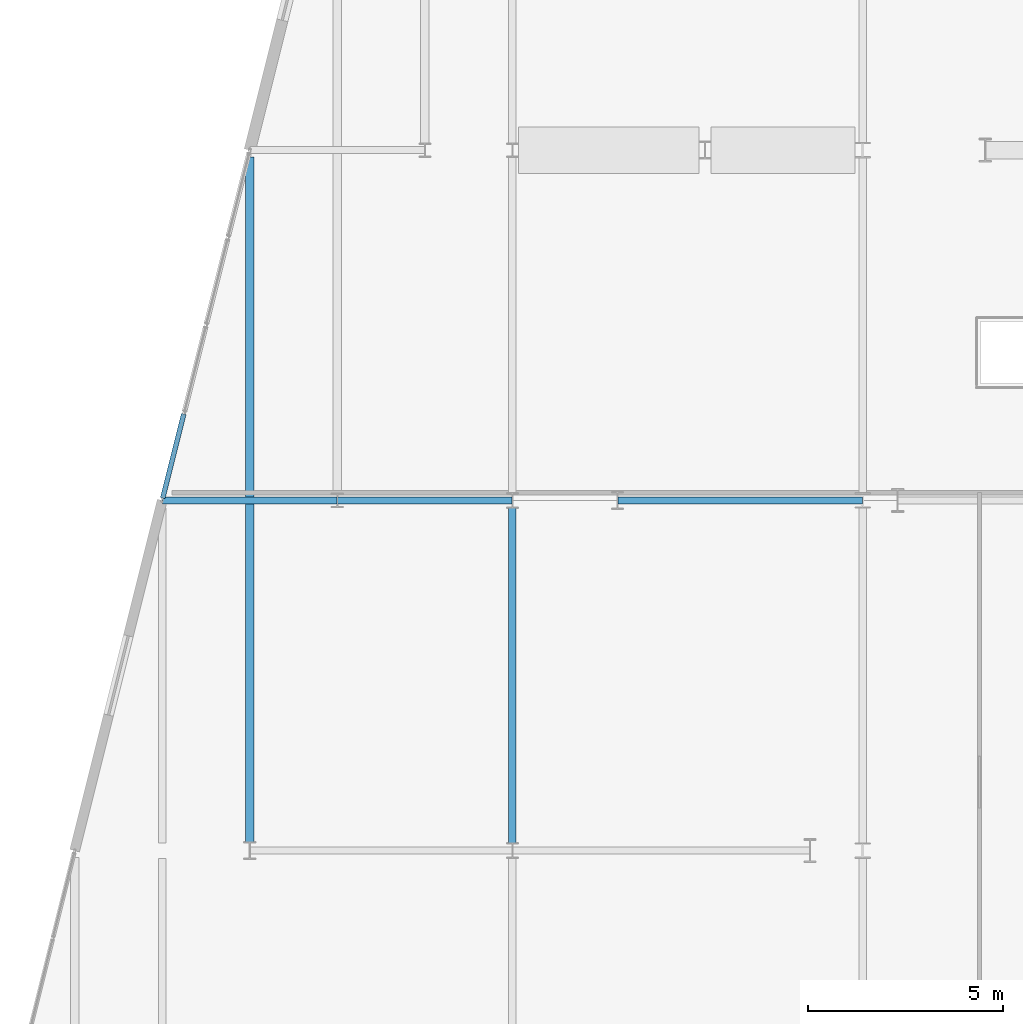
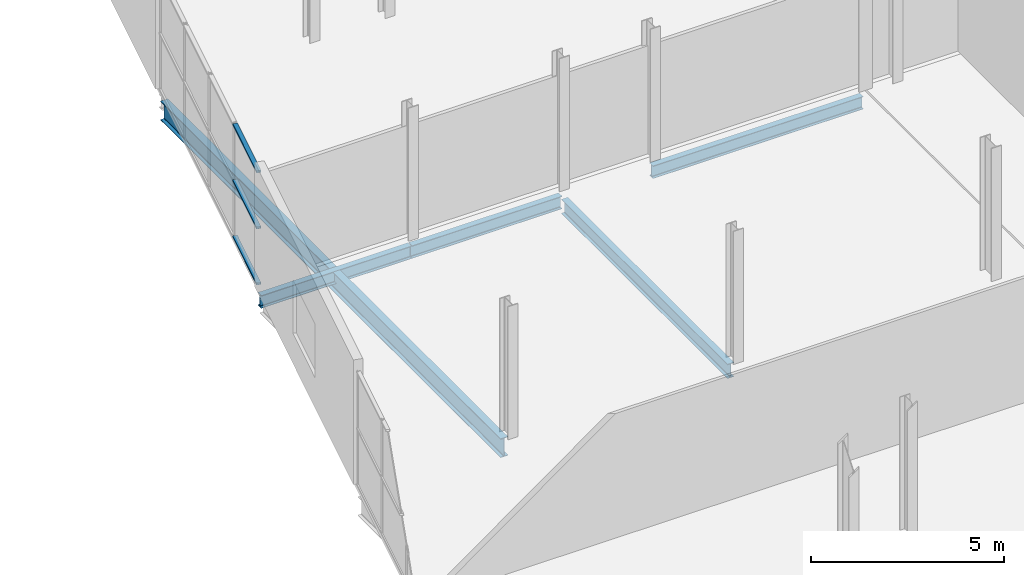
# One storey, part 87 of 132: 5 beams, 3 members, 1 element without a shape of its own.
"""IFC4 building model written with IfcOpenShell, lengths in metres."""

from ifc_helpers import new_model, si_unit, direction, frame, origin, origin_2d, place, context, subcontext, project, spatial, hollow_rectangle, i_section, extrude, material, layer, layer_set, material_profile, profile_set, type_object, element, aggregate, save


model = new_model("IFC4")

# Units and contexts
model_context = context("Model", 3, precision=1e-05, world=origin(), true_north=direction((0.0, 1.0)))
body_context = subcontext(model_context, "Body", "Model", "MODEL_VIEW")
ifc_project = project(units=[si_unit("LENGTHUNIT", "METRE"), si_unit("AREAUNIT", "SQUARE_METRE"), si_unit("VOLUMEUNIT", "CUBIC_METRE"), si_unit("PLANEANGLEUNIT", "RADIAN"), si_unit("MASSUNIT", "GRAM", prefix="KILO")], contexts=[model_context])

# Site, building, storey
site_placement = place(None, origin())
site = spatial("IfcSite", under=ifc_project, at=site_placement, CompositionType="ELEMENT")
building_placement = place(site_placement, origin())
building = spatial("IfcBuilding", under=site, at=building_placement, Name="Deido Ridge Mobility Hub", CompositionType="ELEMENT")
storey_placement = place(building_placement, frame((0.0, 0.0, 8.39990234375)))
storey = spatial("IfcBuildingStorey", under=building, at=storey_placement, Name="L02", CompositionType="ELEMENT", Elevation=8.39990234375)

# Beams
ifc_material_1 = material(Name="Steel S355J2 EN 10025-2", Category="steel")
ifc_material_profile_1 = material_profile(ifc_material_1, i_section(OverallWidth=0.179931640625, OverallDepth=0.39990234375, WebThickness=0.008544921875, FlangeThickness=0.013427734375, FilletRadius=0.02099609375, at=origin_2d()), Name="IPE 400")
ifc_profile_set_1 = profile_set([ifc_material_profile_1], Name="Steel S355J2 EN 10025-2")
beam_type_1 = type_object("IfcBeamType", Name="BM-IPE400", PredefinedType="BEAM", material=ifc_profile_set_1)
beam_1_placement = place(storey_placement, frame((126.0087890625, 36.0, -0.454833984375), z_axis=(1.0, 0.0, 0.0), x_axis=(0.0, 1.0, 0.0)))
element("IfcBeam", 1, at=beam_1_placement, inside=storey, type_object=beam_type_1, Name="Floor beam B5", PredefinedType="BEAM", context=body_context, shape_type="SweptSolid", body=[
    extrude(i_section(OverallWidth=0.179931640625, OverallDepth=0.39990234375, WebThickness=0.008544921875, FlangeThickness=0.013427734375, FilletRadius=0.02099609375, at=origin_2d()), origin(), (0.0, 0.0, 1.0), 4.485107421875),
])
beam_2_placement = place(storey_placement, frame((130.506103515625, 36.0, -0.454833984375), z_axis=(1.0, 0.0, 0.0), x_axis=(0.0, 1.0, 0.0)))
element("IfcBeam", 2, at=beam_2_placement, inside=storey, type_object=beam_type_1, Name="Floor beam B5", PredefinedType="BEAM", context=body_context, shape_type="SweptSolid", body=[
    extrude(i_section(OverallWidth=0.179931640625, OverallDepth=0.39990234375, WebThickness=0.008544921875, FlangeThickness=0.013427734375, FilletRadius=0.02099609375, at=origin_2d()), origin(), (0.0, 0.0, 1.0), 4.487060546875),
])
beam_3_placement = place(storey_placement, frame((137.70703125, 36.0, -0.454833984375), z_axis=(1.0, 0.0, 0.0), x_axis=(0.0, 1.0, 0.0)))
element("IfcBeam", 3, at=beam_3_placement, inside=storey, type_object=beam_type_1, Name="Floor beam B5", PredefinedType="BEAM", context=body_context, shape_type="SweptSolid", body=[
    extrude(i_section(OverallWidth=0.179931640625, OverallDepth=0.39990234375, WebThickness=0.008544921875, FlangeThickness=0.013427734375, FilletRadius=0.02099609375, at=origin_2d()), origin(), (0.0, 0.0, 1.0), 6.2841796875),
])
ifc_material_profile_2 = material_profile(ifc_material_1, i_section(OverallWidth=0.18994140625, OverallDepth=0.449951171875, WebThickness=0.009521484375, FlangeThickness=0.0146484375, FilletRadius=0.02099609375, at=origin_2d()), Name="IPE 450")
ifc_profile_set_2 = profile_set([ifc_material_profile_2], Name="Steel S355J2 EN 10025-2")
beam_type_2 = type_object("IfcBeamType", Name="BM-IPE450", PredefinedType="BEAM", material=ifc_profile_set_2)
beam_4_placement = place(storey_placement, frame((135.0, 27.199951171875, -0.47998046875), z_axis=(0.0, 1.0, 0.0), x_axis=(-1.0, 0.0, 0.0)))
element("IfcBeam", 4, at=beam_4_placement, inside=storey, type_object=beam_type_2, Name="Floor beam B4", PredefinedType="BEAM", context=body_context, shape_type="SweptSolid", body=[
    extrude(i_section(OverallWidth=0.18994140625, OverallDepth=0.449951171875, WebThickness=0.009521484375, FlangeThickness=0.0146484375, FilletRadius=0.02099609375, at=origin_2d()), origin(), (0.0, 0.0, 1.0), 8.60009765625),
])
ifc_material_profile_3 = material_profile(ifc_material_1, i_section(OverallWidth=0.219970703125, OverallDepth=0.60009765625, WebThickness=0.011962890625, FlangeThickness=0.01904296875, FilletRadius=0.02392578125, at=origin_2d()), Name="IPE 600")
ifc_profile_set_3 = profile_set([ifc_material_profile_3], Name="Steel S355J2 EN 10025-2")
beam_type_3 = type_object("IfcBeamType", Name="BM-IPE600", PredefinedType="BEAM", material=ifc_profile_set_3)
beam_5_placement = place(storey_placement, frame((128.25, 27.22509765625, -0.554931640625), z_axis=(0.0, 1.0, 0.0), x_axis=(-1.0, 0.0, 0.0)))
element("IfcBeam", 5, at=beam_5_placement, inside=storey, type_object=beam_type_3, Name="Floor beam B1", PredefinedType="BEAM", context=body_context, shape_type="SweptSolid", body=[
    extrude(i_section(OverallWidth=0.219970703125, OverallDepth=0.60009765625, WebThickness=0.011962890625, FlangeThickness=0.01904296875, FilletRadius=0.02392578125, at=origin_2d()), origin(), (0.0, 0.0, 1.0), 17.594970703125),
])

# Curtain wall, members
ifc_material_2 = material(Name="Anodised aluminium EN AW-6063 T6", Category="aluminium")
ifc_layer = layer(ifc_material_2, 0.2099609375, Name="Anodised aluminium EN AW-6063 T6")
ifc_layer_set = layer_set([ifc_layer], Name="Anodised aluminium EN AW-6063 T6")
curtain_wall_type = type_object("IfcCurtainWallType", Name="CW-UF-4", PredefinedType="USERDEFINED", material=ifc_layer_set)
curtain_wall_placement = place(storey_placement, origin())
curtain_wall = element("IfcCurtainWall", 6, at=curtain_wall_placement, inside=storey, type_object=curtain_wall_type, Name="Unitised curtain wall CW4", ObjectType="UNITISED FACADE", PredefinedType="USERDEFINED")
ifc_material_profile_4 = material_profile(ifc_material_2, hollow_rectangle(XDim=0.125, YDim=0.06005859375, WallThickness=0.00390625, at=origin_2d()), Name="RHS 125x60x4")
ifc_profile_set_4 = profile_set([ifc_material_profile_4], Name="Anodised aluminium EN AW-6063 T6")
member_type = type_object("IfcMemberType", Name="MEM-TRN-125X60", PredefinedType="USERDEFINED", material=ifc_profile_set_4)
member_1_placement = place(storey_placement, frame((126.0146484375, 36.05810546875, 0.030029296875), z_axis=(0.242458322075, 0.970161822613, 0.0), x_axis=(-0.970161822613, 0.242458322075, 0.0)))
member_1 = element("IfcMember", 7, at=member_1_placement, type_object=member_type, Name="CW4 transom 1.1", ObjectType="TRANSOM", PredefinedType="USERDEFINED", context=body_context, shape_type="SweptSolid", body=[
    extrude(hollow_rectangle(XDim=0.125, YDim=0.06005859375, WallThickness=0.00390625, at=origin_2d()), origin(), (0.0, 0.0, 1.0), 2.229248046875),
])
member_2_placement = place(storey_placement, frame((126.0146484375, 36.05810546875, 1.800048828125), z_axis=(0.242458322075, 0.970161822613, 0.0), x_axis=(-0.970161822613, 0.242458322075, 0.0)))
member_2 = element("IfcMember", 8, at=member_2_placement, type_object=member_type, Name="CW4 transom 1.2", ObjectType="TRANSOM", PredefinedType="USERDEFINED", context=body_context, shape_type="SweptSolid", body=[
    extrude(hollow_rectangle(XDim=0.125, YDim=0.06005859375, WallThickness=0.00390625, at=origin_2d()), origin(), (0.0, 0.0, 1.0), 2.229248046875),
])
member_3_placement = place(storey_placement, frame((126.0146484375, 36.05810546875, 3.570068359375), z_axis=(0.242458322075, 0.970161822613, 0.0), x_axis=(-0.970161822613, 0.242458322075, 0.0)))
member_3 = element("IfcMember", 9, at=member_3_placement, type_object=member_type, Name="CW4 transom 1.3", ObjectType="TRANSOM", PredefinedType="USERDEFINED", context=body_context, shape_type="SweptSolid", body=[
    extrude(hollow_rectangle(XDim=0.125, YDim=0.06005859375, WallThickness=0.00390625, at=origin_2d()), origin(), (0.0, 0.0, 1.0), 2.229248046875),
])
aggregate(curtain_wall, [member_1, member_2, member_3])

save(model, "model.ifc")
